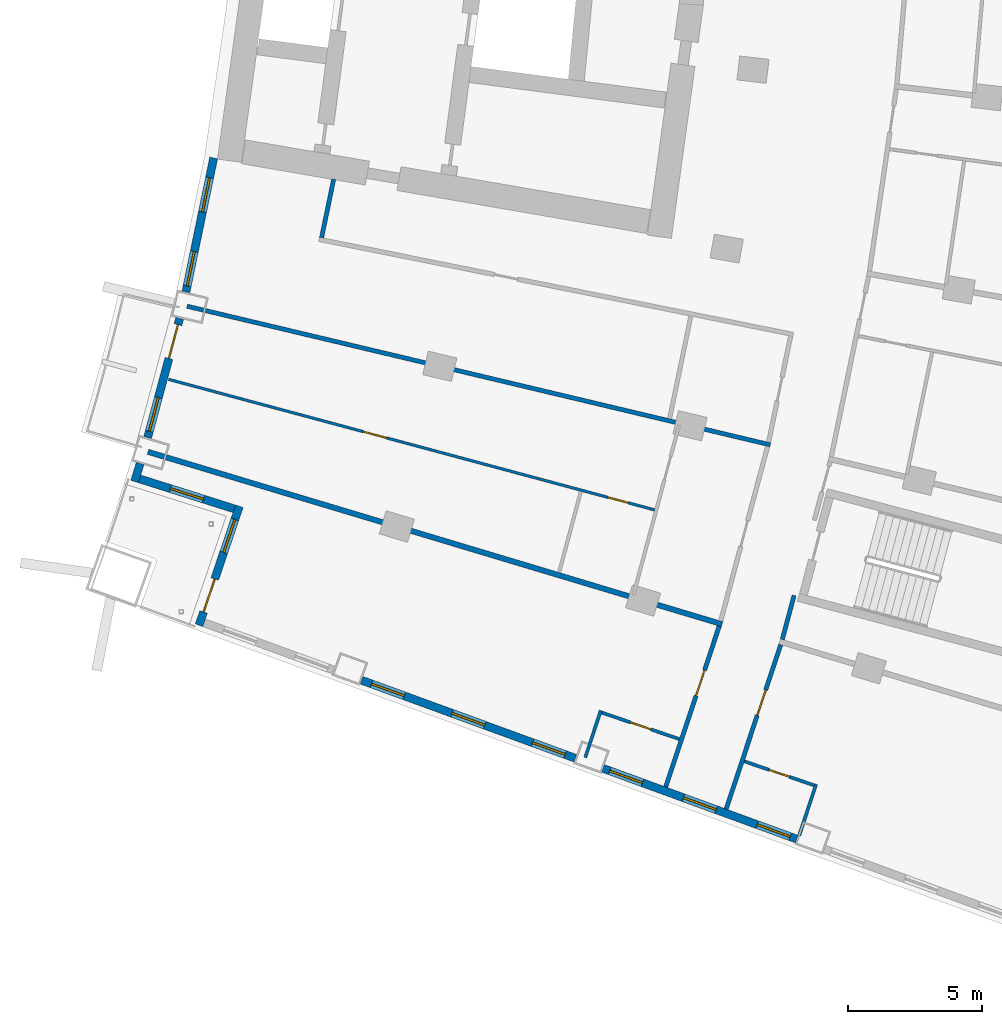
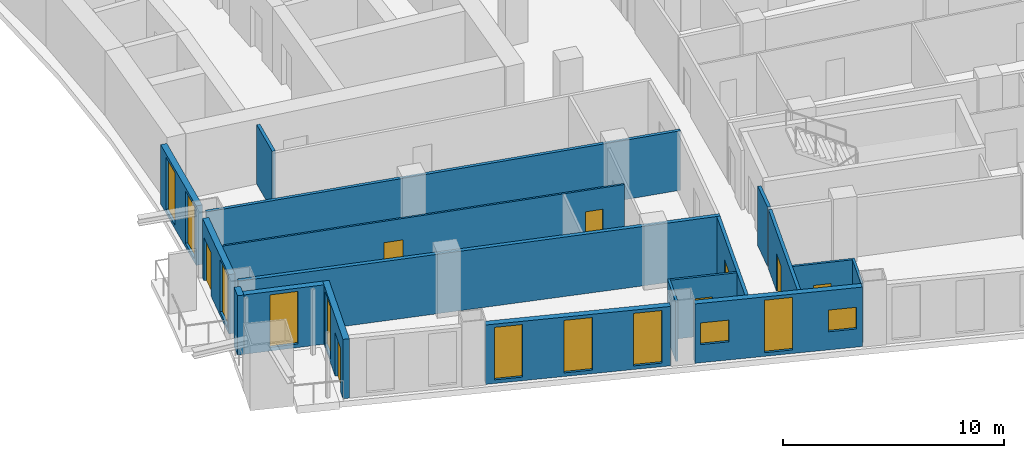
# One storey, part 11 of 23: 18 walls, 11 windows, 8 doors, 19 openings.
"""IFC4 building model written with IfcOpenShell, lengths in metres."""

from ifc_helpers import new_model, si_unit, direction, frame, frame_2d, origin, place, context, subcontext, project, spatial, rectangle, extrude, material, layer, layer_set, type_object, element, fill, save


model = new_model("IFC4")

# Units and contexts
model_context = context("Model", 3, precision=1e-05, world=origin(), true_north=direction((0.0, 1.0)))
body_context = subcontext(model_context, "Body", "Model", "MODEL_VIEW")
ifc_project = project(units=[si_unit("LENGTHUNIT", "METRE"), si_unit("AREAUNIT", "SQUARE_METRE"), si_unit("VOLUMEUNIT", "CUBIC_METRE"), si_unit("PLANEANGLEUNIT", "RADIAN"), si_unit("MASSUNIT", "GRAM", prefix="KILO")], contexts=[model_context])

# Site, building, storey
site_placement = place(None, origin())
site = spatial("IfcSite", under=ifc_project, at=site_placement, CompositionType="ELEMENT")
building_placement = place(site_placement, origin())
building = spatial("IfcBuilding", under=site, at=building_placement, Name="Alderwake Tower", CompositionType="ELEMENT")
storey_placement = place(building_placement, frame((0.0, 0.0, 71.60009765625)))
storey = spatial("IfcBuildingStorey", under=building, at=storey_placement, Name="L17", CompositionType="ELEMENT", Elevation=71.60009765625)

# Walls
ifc_material_1 = material(Name="Gypsum board on metal studs, rated")
ifc_layer_1 = layer(ifc_material_1, 0.159912109375)
ifc_layer_set_1 = layer_set([ifc_layer_1], Name="Corridor wall 160")
wall_type_1 = type_object("IfcWallType", Name="Corridor wall 160", PredefinedType="PARTITIONING", material=ifc_layer_set_1)
wall_1_placement = place(storey_placement, frame((13.884033203125, 38.68798828125, 0.0), z_axis=(0.0, 0.0, 1.0), x_axis=(0.972893462073, -0.231253781493, 0.0)))
element("IfcWall", 1, at=wall_1_placement, inside=storey, type_object=wall_type_1, Name="WL/L17/W17", PredefinedType="PARTITIONING", context=body_context, shape_type="SweptSolid", body=[
    extrude(rectangle(XDim=22.38037109375, YDim=0.159912109375, at=frame_2d((11.190185546875, 0.0))), origin(), (0.0, 0.0, 1.0), 3.27978515625),
])
wall_2_placement = place(storey_placement, frame((19.35888671875, 43.430908203125, 0.0), z_axis=(0.0, 0.0, 1.0), x_axis=(-0.202554916658, -0.979270905183, 0.0)))
element("IfcWall", 2, at=wall_2_placement, inside=storey, type_object=wall_type_1, Name="WL/L17/W20", PredefinedType="PARTITIONING", context=body_context, shape_type="SweptSolid", body=[
    extrude(rectangle(XDim=2.229736328125, YDim=0.159912109375, at=frame_2d((1.11474609375, 0.0))), origin(), (0.0, 0.0, 1.0), 3.27978515625),
])

# Wall, opening, door
wall_3_placement = place(storey_placement, frame((31.7548828125, 20.739013671875, 0.0), z_axis=(0.0, 0.0, 1.0), x_axis=(0.31554473692, 0.948910701279, 0.0)))
wall_3 = element("IfcWall", 3, at=wall_3_placement, inside=storey, type_object=wall_type_1, Name="WL/L17/W22", PredefinedType="PARTITIONING", context=body_context, shape_type="SweptSolid", body=[
    extrude(rectangle(XDim=6.327392578125, YDim=0.159912109375, at=frame_2d((3.16357421875, 0.0))), origin(), (0.0, 0.0, 1.0), 3.27978515625),
])
opening_1_placement = place(wall_3_placement, frame((3.59130859375, 0.0, 0.0)))
opening_1 = element("IfcOpeningElement", 4, at=opening_1_placement, cuts=wall_3, Name="Opening R04-U12.1", PredefinedType="OPENING", context=body_context, shape_type="SweptSolid", body=[
    extrude(rectangle(XDim=1.0, YDim=2.10009765625, at=frame_2d((0.5, 1.050048828125))), frame((0.0, 0.08984375, 0.0), z_axis=(0.0, -1.0, 0.0), x_axis=(1.0, 0.0, 0.0)), (0.0, 0.0, 1.0), 0.179931640625),
])
ifc_material_2 = material(Name="Solid timber leaf in steel frame", Category="steel")
door_type_1 = type_object("IfcDoorType", Name="Flat entrance door 1000 fire-rated", OperationType="SINGLE_SWING_LEFT", PredefinedType="DOOR", material=ifc_material_2)
door_1_placement = place(opening_1_placement, origin())
door_1 = element("IfcDoor", 5, at=door_1_placement, inside=storey, type_object=door_type_1, Name="DR/L17/U12.1", OperationType="SINGLE_SWING_LEFT", OverallHeight=2.10009765625, OverallWidth=1.0, PredefinedType="DOOR", context=body_context, shape_type="SweptSolid", body=[
    extrude(rectangle(XDim=1.0, YDim=2.10009765625, at=frame_2d((0.5, 1.050048828125))), frame((0.0, 0.02490234375, 0.0), z_axis=(0.0, -1.0, 0.0), x_axis=(1.0, 0.0, 0.0)), (0.0, 0.0, 1.0), 0.050048828125),
])
fill(opening_1, door_1)

wall_4_placement = place(storey_placement, frame((36.049560546875, 26.052978515625, 0.0), z_axis=(0.0, 0.0, 1.0), x_axis=(-0.315151894598, -0.949041244273, 0.0)))
wall_4 = element("IfcWall", 6, at=wall_4_placement, inside=storey, type_object=wall_type_1, Name="WL/L17/W24", PredefinedType="PARTITIONING", context=body_context, shape_type="SweptSolid", body=[
    extrude(rectangle(XDim=6.468505859375, YDim=0.159912109375, at=frame_2d((3.234375, 0.0))), origin(), (0.0, 0.0, 1.0), 3.27978515625),
])
opening_2_placement = place(wall_4_placement, frame((1.7822265625, 0.0, 0.0)))
opening_2 = element("IfcOpeningElement", 7, at=opening_2_placement, cuts=wall_4, Name="Opening R04-U03.1", PredefinedType="OPENING", context=body_context, shape_type="SweptSolid", body=[
    extrude(rectangle(XDim=1.0, YDim=2.10009765625, at=frame_2d((0.5, 1.050048828125))), frame((0.0, 0.08984375, 0.0), z_axis=(0.0, -1.0, 0.0), x_axis=(1.0, 0.0, 0.0)), (0.0, 0.0, 1.0), 0.179931640625),
])
door_2_placement = place(opening_2_placement, origin())
door_2 = element("IfcDoor", 8, at=door_2_placement, inside=storey, type_object=door_type_1, Name="DR/L17/U03.1", OperationType="SINGLE_SWING_LEFT", OverallHeight=2.10009765625, OverallWidth=1.0, PredefinedType="DOOR", context=body_context, shape_type="SweptSolid", body=[
    extrude(rectangle(XDim=1.0, YDim=2.10009765625, at=frame_2d((0.5, 1.050048828125))), frame((0.0, 0.02490234375, 0.0), z_axis=(0.0, -1.0, 0.0), x_axis=(1.0, 0.0, 0.0)), (0.0, 0.0, 1.0), 0.050048828125),
])
fill(opening_2, door_2)

# Walls
wall_5_placement = place(storey_placement, frame((36.10693359375, 26.24462890625, 0.0), z_axis=(0.0, 0.0, 1.0), x_axis=(0.259346865847, 0.965784242559, 0.0)))
element("IfcWall", 9, at=wall_5_placement, inside=storey, type_object=wall_type_1, Name="WL/L17/W28", PredefinedType="PARTITIONING", context=body_context, shape_type="SweptSolid", body=[
    extrude(rectangle(XDim=1.704833984375, YDim=0.159912109375, at=frame_2d((0.8525390625, 0.0))), origin(), (0.0, 0.0, 1.0), 3.27978515625),
])
ifc_material_3 = material(Name="Precast concrete C50/60 spandrel panel", Category="concrete")
ifc_layer_2 = layer(ifc_material_3, 0.300048828125)
ifc_layer_set_2 = layer_set([ifc_layer_2], Name="External wall EW1 Precast concrete C50/60 spandrel")
wall_type_2 = type_object("IfcWallType", Name="External wall EW1 Precast concrete C50/60 spandrel", PredefinedType="SOLIDWALL", material=ifc_layer_set_2)
wall_6_placement = place(storey_placement, frame((12.1328125, 32.814453125, 0.0), z_axis=(0.0, 0.0, 1.0), x_axis=(-0.294671831364, -0.955598509731, 0.0)))
element("IfcWall", 10, at=wall_6_placement, inside=storey, type_object=wall_type_2, Name="External wall 1", PredefinedType="SOLIDWALL", context=body_context, shape_type="SweptSolid", body=[
    extrude(rectangle(XDim=0.70263671875, YDim=0.300048828125, at=frame_2d((0.351318359375, 0.0))), origin(), (0.0, 0.0, 1.0), 3.27978515625),
])

# Wall, openings, windows
wall_7_placement = place(storey_placement, frame((14.878173828125, 44.223388671875, 0.0), z_axis=(0.0, 0.0, 1.0), x_axis=(-0.202738354746, -0.979232944459, 0.0)))
wall_7 = element("IfcWall", 11, at=wall_7_placement, inside=storey, type_object=wall_type_2, Name="External wall 35", PredefinedType="SOLIDWALL", context=body_context, shape_type="SweptSolid", body=[
    extrude(rectangle(XDim=5.1083984375, YDim=0.300048828125, at=frame_2d((2.55419921875, 0.0))), origin(), (0.0, 0.0, 1.0), 3.27978515625),
])
opening_3_placement = place(wall_7_placement, frame((0.75634765625, 0.0, 0.199951171875)))
opening_3 = element("IfcOpeningElement", 12, at=opening_3_placement, cuts=wall_7, Name="Opening W1", PredefinedType="OPENING", context=body_context, shape_type="SweptSolid", body=[
    extrude(rectangle(XDim=1.300048828125, YDim=2.89990234375, at=frame_2d((0.64990234375, 1.449951171875))), frame((0.0, 0.159912109375, 0.0), z_axis=(0.0, -1.0, 0.0), x_axis=(1.0, 0.0, 0.0)), (0.0, 0.0, 1.0), 0.320068359375),
])
opening_4_placement = place(wall_7_placement, frame((3.569091796875, 0.0, 0.199951171875)))
opening_4 = element("IfcOpeningElement", 13, at=opening_4_placement, cuts=wall_7, Name="Opening W1", PredefinedType="OPENING", context=body_context, shape_type="SweptSolid", body=[
    extrude(rectangle(XDim=1.300048828125, YDim=2.89990234375, at=frame_2d((0.64990234375, 1.449951171875))), frame((0.0, 0.159912109375, 0.0), z_axis=(0.0, -1.0, 0.0), x_axis=(1.0, 0.0, 0.0)), (0.0, 0.0, 1.0), 0.320068359375),
])
ifc_material_4 = material(Name="Bronze tinted glass in aluminium frame", Category="aluminium")
window_type_1 = type_object("IfcWindowType", Name="Window W1 tall fixed and vent", PartitioningType="DOUBLE_PANEL_VERTICAL", PredefinedType="WINDOW", material=ifc_material_4)
window_1_placement = place(opening_3_placement, origin())
window_1 = element("IfcWindow", 14, at=window_1_placement, inside=storey, type_object=window_type_1, Name="Window W1 tall fixed and vent", OverallHeight=2.89990234375, OverallWidth=1.300048828125, PartitioningType="DOUBLE_PANEL_VERTICAL", PredefinedType="WINDOW", context=body_context, shape_type="SweptSolid", body=[
    extrude(rectangle(XDim=1.300048828125, YDim=2.89990234375, at=frame_2d((0.64990234375, 1.449951171875))), frame((0.0, 0.030029296875, 0.0), z_axis=(0.0, -1.0, 0.0), x_axis=(1.0, 0.0, 0.0)), (0.0, 0.0, 1.0), 0.06005859375),
])
fill(opening_3, window_1)
window_2_placement = place(opening_4_placement, origin())
window_2 = element("IfcWindow", 15, at=window_2_placement, inside=storey, type_object=window_type_1, Name="Window W1 tall fixed and vent", OverallHeight=2.89990234375, OverallWidth=1.300048828125, PartitioningType="DOUBLE_PANEL_VERTICAL", PredefinedType="WINDOW", context=body_context, shape_type="SweptSolid", body=[
    extrude(rectangle(XDim=1.300048828125, YDim=2.89990234375, at=frame_2d((0.64990234375, 1.449951171875))), frame((0.0, 0.030029296875, 0.0), z_axis=(0.0, -1.0, 0.0), x_axis=(1.0, 0.0, 0.0)), (0.0, 0.0, 1.0), 0.06005859375),
])
fill(opening_4, window_2)

# Wall, openings, door, window
wall_8_placement = place(storey_placement, frame((13.606689453125, 38.229248046875, 0.0), z_axis=(0.0, 0.0, 1.0), x_axis=(-0.259495671332, -0.965744270788, 0.0)))
wall_8 = element("IfcWall", 16, at=wall_8_placement, inside=storey, type_object=wall_type_2, Name="External wall 36", PredefinedType="SOLIDWALL", context=body_context, shape_type="SweptSolid", body=[
    extrude(rectangle(XDim=4.599609375, YDim=0.300048828125, at=frame_2d((2.2998046875, 0.0))), origin(), (0.0, 0.0, 1.0), 3.27978515625),
])
opening_5_placement = place(wall_8_placement, frame((0.2412109375, 0.0, 0.0)))
opening_5 = element("IfcOpeningElement", 17, at=opening_5_placement, cuts=wall_8, Name="Opening D16", PredefinedType="OPENING", context=body_context, shape_type="SweptSolid", body=[
    extrude(rectangle(XDim=1.300048828125, YDim=2.39990234375, at=frame_2d((0.64990234375, 1.199951171875))), frame((0.0, 0.159912109375, 0.0), z_axis=(0.0, -1.0, 0.0), x_axis=(1.0, 0.0, 0.0)), (0.0, 0.0, 1.0), 0.320068359375),
])
opening_6_placement = place(wall_8_placement, frame((3.058349609375, 0.0, 0.199951171875)))
opening_6 = element("IfcOpeningElement", 18, at=opening_6_placement, cuts=wall_8, Name="Opening W1", PredefinedType="OPENING", context=body_context, shape_type="SweptSolid", body=[
    extrude(rectangle(XDim=1.300048828125, YDim=2.89990234375, at=frame_2d((0.64990234375, 1.449951171875))), frame((0.0, 0.159912109375, 0.0), z_axis=(0.0, -1.0, 0.0), x_axis=(1.0, 0.0, 0.0)), (0.0, 0.0, 1.0), 0.320068359375),
])
ifc_material_5 = material(Name="Bronze tinted glass in aluminium frame", Category="aluminium")
door_type_2 = type_object("IfcDoorType", Name="Balcony door BD sliding", OperationType="SLIDING_TO_LEFT", PredefinedType="DOOR", material=ifc_material_5)
door_3_placement = place(opening_5_placement, origin())
door_3 = element("IfcDoor", 19, at=door_3_placement, inside=storey, type_object=door_type_2, Name="Door D16", OperationType="SLIDING_TO_LEFT", OverallHeight=2.39990234375, OverallWidth=1.300048828125, PredefinedType="DOOR", context=body_context, shape_type="SweptSolid", body=[
    extrude(rectangle(XDim=1.300048828125, YDim=2.39990234375, at=frame_2d((0.64990234375, 1.199951171875))), frame((0.0, 0.02490234375, 0.0), z_axis=(0.0, -1.0, 0.0), x_axis=(1.0, 0.0, 0.0)), (0.0, 0.0, 1.0), 0.050048828125),
])
fill(opening_5, door_3)
window_3_placement = place(opening_6_placement, origin())
window_3 = element("IfcWindow", 20, at=window_3_placement, inside=storey, type_object=window_type_1, Name="Window W1 tall fixed and vent", OverallHeight=2.89990234375, OverallWidth=1.300048828125, PartitioningType="DOUBLE_PANEL_VERTICAL", PredefinedType="WINDOW", context=body_context, shape_type="SweptSolid", body=[
    extrude(rectangle(XDim=1.300048828125, YDim=2.89990234375, at=frame_2d((0.64990234375, 1.449951171875))), frame((0.0, 0.030029296875, 0.0), z_axis=(0.0, -1.0, 0.0), x_axis=(1.0, 0.0, 0.0)), (0.0, 0.0, 1.0), 0.06005859375),
])
fill(opening_6, window_3)

# Wall, opening, window
ifc_material_6 = material(Name="Bronze metal cladding on lightweight framing")
ifc_layer_3 = layer(ifc_material_6, 0.300048828125)
ifc_layer_set_3 = layer_set([ifc_layer_3], Name="External wall EW2 bronze metal cladding")
wall_type_3 = type_object("IfcWallType", Name="External wall EW2 bronze metal cladding", PredefinedType="SOLIDWALL", material=ifc_layer_set_3)
wall_9_placement = place(storey_placement, frame((12.113037109375, 32.2412109375, 0.0), z_axis=(0.0, 0.0, 1.0), x_axis=(0.953458128271, -0.301525451054, 0.0)))
wall_9 = element("IfcWall", 21, at=wall_9_placement, inside=storey, type_object=wall_type_3, Name="External wall 2", PredefinedType="SOLIDWALL", context=body_context, shape_type="SweptSolid", body=[
    extrude(rectangle(XDim=3.705810546875, YDim=0.300048828125, at=frame_2d((1.85302734375, 0.0))), origin(), (0.0, 0.0, 1.0), 3.27978515625),
])
opening_7_placement = place(wall_9_placement, frame((1.202880859375, 0.0, 0.199951171875)))
opening_7 = element("IfcOpeningElement", 22, at=opening_7_placement, cuts=wall_9, Name="Opening W1", PredefinedType="OPENING", context=body_context, shape_type="SweptSolid", body=[
    extrude(rectangle(XDim=1.300048828125, YDim=2.89990234375, at=frame_2d((0.64990234375, 1.449951171875))), frame((0.0, 0.159912109375, 0.0), z_axis=(0.0, -1.0, 0.0), x_axis=(1.0, 0.0, 0.0)), (0.0, 0.0, 1.0), 0.320068359375),
])
window_4_placement = place(opening_7_placement, origin())
window_4 = element("IfcWindow", 23, at=window_4_placement, inside=storey, type_object=window_type_1, Name="Window W1 tall fixed and vent", OverallHeight=2.89990234375, OverallWidth=1.300048828125, PartitioningType="DOUBLE_PANEL_VERTICAL", PredefinedType="WINDOW", context=body_context, shape_type="SweptSolid", body=[
    extrude(rectangle(XDim=1.300048828125, YDim=2.89990234375, at=frame_2d((0.64990234375, 1.449951171875))), frame((0.0, 0.030029296875, 0.0), z_axis=(0.0, -1.0, 0.0), x_axis=(1.0, 0.0, 0.0)), (0.0, 0.0, 1.0), 0.06005859375),
])
fill(opening_7, window_4)

# Wall, openings, door, window
wall_10_placement = place(storey_placement, frame((15.83740234375, 31.220703125, 0.0), z_axis=(0.0, 0.0, 1.0), x_axis=(-0.32041006121, -0.947278941324, 0.0)))
wall_10 = element("IfcWall", 24, at=wall_10_placement, inside=storey, type_object=wall_type_3, Name="External wall 3", PredefinedType="SOLIDWALL", context=body_context, shape_type="SweptSolid", body=[
    extrude(rectangle(XDim=4.68994140625, YDim=0.300048828125, at=frame_2d((2.344970703125, 0.0))), origin(), (0.0, 0.0, 1.0), 3.27978515625),
])
opening_8_placement = place(wall_10_placement, frame((0.5224609375, 0.0, 0.199951171875)))
opening_8 = element("IfcOpeningElement", 25, at=opening_8_placement, cuts=wall_10, Name="Opening W1", PredefinedType="OPENING", context=body_context, shape_type="SweptSolid", body=[
    extrude(rectangle(XDim=1.300048828125, YDim=2.89990234375, at=frame_2d((0.64990234375, 1.449951171875))), frame((0.0, 0.159912109375, 0.0), z_axis=(0.0, -1.0, 0.0), x_axis=(1.0, 0.0, 0.0)), (0.0, 0.0, 1.0), 0.320068359375),
])
opening_9_placement = place(wall_10_placement, frame((2.867431640625, 0.0, 0.0)))
opening_9 = element("IfcOpeningElement", 26, at=opening_9_placement, cuts=wall_10, Name="Opening D01", PredefinedType="OPENING", context=body_context, shape_type="SweptSolid", body=[
    extrude(rectangle(XDim=1.300048828125, YDim=2.39990234375, at=frame_2d((0.64990234375, 1.199951171875))), frame((0.0, 0.159912109375, 0.0), z_axis=(0.0, -1.0, 0.0), x_axis=(1.0, 0.0, 0.0)), (0.0, 0.0, 1.0), 0.320068359375),
])
door_4_placement = place(opening_9_placement, origin())
door_4 = element("IfcDoor", 27, at=door_4_placement, inside=storey, type_object=door_type_2, Name="Door D01", OperationType="SLIDING_TO_LEFT", OverallHeight=2.39990234375, OverallWidth=1.300048828125, PredefinedType="DOOR", context=body_context, shape_type="SweptSolid", body=[
    extrude(rectangle(XDim=1.300048828125, YDim=2.39990234375, at=frame_2d((0.64990234375, 1.199951171875))), frame((0.0, 0.02490234375, 0.0), z_axis=(0.0, -1.0, 0.0), x_axis=(1.0, 0.0, 0.0)), (0.0, 0.0, 1.0), 0.050048828125),
])
fill(opening_9, door_4)
window_5_placement = place(opening_8_placement, origin())
window_5 = element("IfcWindow", 28, at=window_5_placement, inside=storey, type_object=window_type_1, Name="Window W1 tall fixed and vent", OverallHeight=2.89990234375, OverallWidth=1.300048828125, PartitioningType="DOUBLE_PANEL_VERTICAL", PredefinedType="WINDOW", context=body_context, shape_type="SweptSolid", body=[
    extrude(rectangle(XDim=1.300048828125, YDim=2.89990234375, at=frame_2d((0.64990234375, 1.449951171875))), frame((0.0, 0.030029296875, 0.0), z_axis=(0.0, -1.0, 0.0), x_axis=(1.0, 0.0, 0.0)), (0.0, 0.0, 1.0), 0.06005859375),
])
fill(opening_8, window_5)

# Wall, openings, windows
wall_11_placement = place(storey_placement, frame((20.398681640625, 24.72412109375, 0.0), z_axis=(0.0, 0.0, 1.0), x_axis=(0.939369809957, -0.342905759856, 0.0)))
wall_11 = element("IfcWall", 29, at=wall_11_placement, inside=storey, type_object=wall_type_3, Name="External wall 5", PredefinedType="SOLIDWALL", context=body_context, shape_type="SweptSolid", body=[
    extrude(rectangle(XDim=8.495361328125, YDim=0.300048828125, at=frame_2d((4.24755859375, 0.0))), origin(), (0.0, 0.0, 1.0), 3.27978515625),
])
opening_10_placement = place(wall_11_placement, frame((0.3974609375, 0.0, 0.199951171875)))
opening_10 = element("IfcOpeningElement", 30, at=opening_10_placement, cuts=wall_11, Name="Opening W1", PredefinedType="OPENING", context=body_context, shape_type="SweptSolid", body=[
    extrude(rectangle(XDim=1.300048828125, YDim=2.89990234375, at=frame_2d((0.64990234375, 1.449951171875))), frame((0.0, 0.159912109375, 0.0), z_axis=(0.0, -1.0, 0.0), x_axis=(1.0, 0.0, 0.0)), (0.0, 0.0, 1.0), 0.320068359375),
])
opening_11_placement = place(wall_11_placement, frame((3.597412109375, 0.0, 0.199951171875)))
opening_11 = element("IfcOpeningElement", 31, at=opening_11_placement, cuts=wall_11, Name="Opening W1", PredefinedType="OPENING", context=body_context, shape_type="SweptSolid", body=[
    extrude(rectangle(XDim=1.300048828125, YDim=2.89990234375, at=frame_2d((0.64990234375, 1.449951171875))), frame((0.0, 0.159912109375, 0.0), z_axis=(0.0, -1.0, 0.0), x_axis=(1.0, 0.0, 0.0)), (0.0, 0.0, 1.0), 0.320068359375),
])
opening_12_placement = place(wall_11_placement, frame((6.797607421875, 0.0, 0.199951171875)))
opening_12 = element("IfcOpeningElement", 32, at=opening_12_placement, cuts=wall_11, Name="Opening W1", PredefinedType="OPENING", context=body_context, shape_type="SweptSolid", body=[
    extrude(rectangle(XDim=1.300048828125, YDim=2.89990234375, at=frame_2d((0.64990234375, 1.449951171875))), frame((0.0, 0.159912109375, 0.0), z_axis=(0.0, -1.0, 0.0), x_axis=(1.0, 0.0, 0.0)), (0.0, 0.0, 1.0), 0.320068359375),
])
window_6_placement = place(opening_10_placement, origin())
window_6 = element("IfcWindow", 33, at=window_6_placement, inside=storey, type_object=window_type_1, Name="Window W1 tall fixed and vent", OverallHeight=2.89990234375, OverallWidth=1.300048828125, PartitioningType="DOUBLE_PANEL_VERTICAL", PredefinedType="WINDOW", context=body_context, shape_type="SweptSolid", body=[
    extrude(rectangle(XDim=1.300048828125, YDim=2.89990234375, at=frame_2d((0.64990234375, 1.449951171875))), frame((0.0, 0.030029296875, 0.0), z_axis=(0.0, -1.0, 0.0), x_axis=(1.0, 0.0, 0.0)), (0.0, 0.0, 1.0), 0.06005859375),
])
fill(opening_10, window_6)
window_7_placement = place(opening_11_placement, origin())
window_7 = element("IfcWindow", 34, at=window_7_placement, inside=storey, type_object=window_type_1, Name="Window W1 tall fixed and vent", OverallHeight=2.89990234375, OverallWidth=1.300048828125, PartitioningType="DOUBLE_PANEL_VERTICAL", PredefinedType="WINDOW", context=body_context, shape_type="SweptSolid", body=[
    extrude(rectangle(XDim=1.300048828125, YDim=2.89990234375, at=frame_2d((0.64990234375, 1.449951171875))), frame((0.0, 0.030029296875, 0.0), z_axis=(0.0, -1.0, 0.0), x_axis=(1.0, 0.0, 0.0)), (0.0, 0.0, 1.0), 0.06005859375),
])
fill(opening_11, window_7)
window_8_placement = place(opening_12_placement, origin())
window_8 = element("IfcWindow", 35, at=window_8_placement, inside=storey, type_object=window_type_1, Name="Window W1 tall fixed and vent", OverallHeight=2.89990234375, OverallWidth=1.300048828125, PartitioningType="DOUBLE_PANEL_VERTICAL", PredefinedType="WINDOW", context=body_context, shape_type="SweptSolid", body=[
    extrude(rectangle(XDim=1.300048828125, YDim=2.89990234375, at=frame_2d((0.64990234375, 1.449951171875))), frame((0.0, 0.030029296875, 0.0), z_axis=(0.0, -1.0, 0.0), x_axis=(1.0, 0.0, 0.0)), (0.0, 0.0, 1.0), 0.06005859375),
])
fill(opening_12, window_8)

wall_12_placement = place(storey_placement, frame((29.416748046875, 21.432373046875, 0.0), z_axis=(0.0, 0.0, 1.0), x_axis=(0.93936753929, -0.342911980148, 0.0)))
wall_12 = element("IfcWall", 36, at=wall_12_placement, inside=storey, type_object=wall_type_3, Name="External wall 6", PredefinedType="SOLIDWALL", context=body_context, shape_type="SweptSolid", body=[
    extrude(rectangle(XDim=7.695556640625, YDim=0.300048828125, at=frame_2d((3.84765625, 0.0))), origin(), (0.0, 0.0, 1.0), 3.27978515625),
])
opening_13_placement = place(wall_12_placement, frame((0.264404296875, 0.0, 1.0)))
opening_13 = element("IfcOpeningElement", 37, at=opening_13_placement, cuts=wall_12, Name="Opening W2", PredefinedType="OPENING", context=body_context, shape_type="SweptSolid", body=[
    extrude(rectangle(XDim=1.300048828125, YDim=1.199951171875, at=frame_2d((0.64990234375, 0.60009765625))), frame((0.0, 0.159912109375, 0.0), z_axis=(0.0, -1.0, 0.0), x_axis=(1.0, 0.0, 0.0)), (0.0, 0.0, 1.0), 0.320068359375),
])
opening_14_placement = place(wall_12_placement, frame((3.19775390625, 0.0, 0.199951171875)))
opening_14 = element("IfcOpeningElement", 38, at=opening_14_placement, cuts=wall_12, Name="Opening W1", PredefinedType="OPENING", context=body_context, shape_type="SweptSolid", body=[
    extrude(rectangle(XDim=1.300048828125, YDim=2.89990234375, at=frame_2d((0.64990234375, 1.449951171875))), frame((0.0, 0.159912109375, 0.0), z_axis=(0.0, -1.0, 0.0), x_axis=(1.0, 0.0, 0.0)), (0.0, 0.0, 1.0), 0.320068359375),
])
opening_15_placement = place(wall_12_placement, frame((6.131103515625, 0.0, 1.0)))
opening_15 = element("IfcOpeningElement", 39, at=opening_15_placement, cuts=wall_12, Name="Opening W2", PredefinedType="OPENING", context=body_context, shape_type="SweptSolid", body=[
    extrude(rectangle(XDim=1.300048828125, YDim=1.199951171875, at=frame_2d((0.64990234375, 0.60009765625))), frame((0.0, 0.159912109375, 0.0), z_axis=(0.0, -1.0, 0.0), x_axis=(1.0, 0.0, 0.0)), (0.0, 0.0, 1.0), 0.320068359375),
])
window_9_placement = place(opening_14_placement, origin())
window_9 = element("IfcWindow", 40, at=window_9_placement, inside=storey, type_object=window_type_1, Name="Window W1 tall fixed and vent", OverallHeight=2.89990234375, OverallWidth=1.300048828125, PartitioningType="DOUBLE_PANEL_VERTICAL", PredefinedType="WINDOW", context=body_context, shape_type="SweptSolid", body=[
    extrude(rectangle(XDim=1.300048828125, YDim=2.89990234375, at=frame_2d((0.64990234375, 1.449951171875))), frame((0.0, 0.030029296875, 0.0), z_axis=(0.0, -1.0, 0.0), x_axis=(1.0, 0.0, 0.0)), (0.0, 0.0, 1.0), 0.06005859375),
])
fill(opening_14, window_9)
ifc_material_7 = material(Name="Bronze tinted glass in aluminium frame", Category="aluminium")
window_type_2 = type_object("IfcWindowType", Name="Window W2 kitchen and bath", PartitioningType="SINGLE_PANEL", PredefinedType="WINDOW", material=ifc_material_7)
window_10_placement = place(opening_13_placement, origin())
window_10 = element("IfcWindow", 41, at=window_10_placement, inside=storey, type_object=window_type_2, Name="Window W2 kitchen and bath", OverallHeight=1.199951171875, OverallWidth=1.300048828125, PartitioningType="SINGLE_PANEL", PredefinedType="WINDOW", context=body_context, shape_type="SweptSolid", body=[
    extrude(rectangle(XDim=1.300048828125, YDim=1.199951171875, at=frame_2d((0.64990234375, 0.60009765625))), frame((0.0, 0.030029296875, 0.0), z_axis=(0.0, -1.0, 0.0), x_axis=(1.0, 0.0, 0.0)), (0.0, 0.0, 1.0), 0.06005859375),
])
fill(opening_13, window_10)
window_11_placement = place(opening_15_placement, origin())
window_11 = element("IfcWindow", 42, at=window_11_placement, inside=storey, type_object=window_type_2, Name="Window W2 kitchen and bath", OverallHeight=1.199951171875, OverallWidth=1.300048828125, PartitioningType="SINGLE_PANEL", PredefinedType="WINDOW", context=body_context, shape_type="SweptSolid", body=[
    extrude(rectangle(XDim=1.300048828125, YDim=1.199951171875, at=frame_2d((0.64990234375, 0.60009765625))), frame((0.0, 0.030029296875, 0.0), z_axis=(0.0, -1.0, 0.0), x_axis=(1.0, 0.0, 0.0)), (0.0, 0.0, 1.0), 0.06005859375),
])
fill(opening_15, window_11)

# Wall
ifc_material_8 = material(Name="Dense block masonry wall", Category="masonry")
ifc_layer_4 = layer(ifc_material_8, 0.199951171875)
ifc_layer_set_4 = layer_set([ifc_layer_4], Name="Party wall 200")
wall_type_4 = type_object("IfcWallType", Name="Party wall 200", PredefinedType="SOLIDWALL", material=ifc_layer_set_4)
wall_13_placement = place(storey_placement, frame((33.859619140625, 26.81494140625, 0.0), z_axis=(0.0, 0.0, 1.0), x_axis=(-0.95775179957, 0.287596054251, 0.0)))
element("IfcWall", 43, at=wall_13_placement, inside=storey, type_object=wall_type_4, Name="WL/L17/W03", PredefinedType="SOLIDWALL", context=body_context, shape_type="SweptSolid", body=[
    extrude(rectangle(XDim=22.382080078125, YDim=0.199951171875, at=frame_2d((11.19091796875, 0.0))), origin(), (0.0, 0.0, 1.0), 3.27978515625),
])

# Wall, openings, doors
ifc_material_9 = material(Name="Gypsum board on metal studs")
ifc_layer_5 = layer(ifc_material_9, 0.10009765625)
ifc_layer_set_5 = layer_set([ifc_layer_5], Name="Unit partition 100")
wall_type_5 = type_object("IfcWallType", Name="Unit partition 100", PredefinedType="PARTITIONING", material=ifc_layer_set_5)
wall_14_placement = place(storey_placement, frame((31.340087890625, 31.08349609375, 0.0), z_axis=(0.0, 0.0, 1.0), x_axis=(-0.965761886649, 0.259430102909, 0.0)))
wall_14 = element("IfcWall", 44, at=wall_14_placement, inside=storey, type_object=wall_type_5, Name="WL/L17/W67", PredefinedType="PARTITIONING", context=body_context, shape_type="SweptSolid", body=[
    extrude(rectangle(XDim=18.789306640625, YDim=0.10009765625, at=frame_2d((9.39453125, 0.0))), origin(), (0.0, 0.0, 1.0), 3.27978515625),
])
opening_16_placement = place(wall_14_placement, frame((1.0185546875, 0.0, 0.0)))
opening_16 = element("IfcOpeningElement", 45, at=opening_16_placement, cuts=wall_14, Name="Opening R04-U13.3", PredefinedType="OPENING", context=body_context, shape_type="SweptSolid", body=[
    extrude(rectangle(XDim=0.800048828125, YDim=2.10009765625, at=frame_2d((0.39990234375, 1.050048828125))), frame((0.0, 0.06005859375, 0.0), z_axis=(0.0, -1.0, 0.0), x_axis=(1.0, 0.0, 0.0)), (0.0, 0.0, 1.0), 0.1201171875),
])
opening_17_placement = place(wall_14_placement, frame((10.363037109375, 0.0, 0.0)))
opening_17 = element("IfcOpeningElement", 46, at=opening_17_placement, cuts=wall_14, Name="Opening R04-U13.4", PredefinedType="OPENING", context=body_context, shape_type="SweptSolid", body=[
    extrude(rectangle(XDim=0.89990234375, YDim=2.10009765625, at=frame_2d((0.449951171875, 1.050048828125))), frame((0.0, 0.06005859375, 0.0), z_axis=(0.0, -1.0, 0.0), x_axis=(1.0, 0.0, 0.0)), (0.0, 0.0, 1.0), 0.1201171875),
])
ifc_material_10 = material(Name="Painted timber leaf", Category="wood")
door_type_3 = type_object("IfcDoorType", Name="Bathroom door 800", OperationType="SINGLE_SWING_LEFT", PredefinedType="DOOR", material=ifc_material_10)
door_5_placement = place(opening_16_placement, origin())
door_5 = element("IfcDoor", 47, at=door_5_placement, inside=storey, type_object=door_type_3, Name="DR/L17/U13.3", OperationType="SINGLE_SWING_LEFT", OverallHeight=2.10009765625, OverallWidth=0.800048828125, PredefinedType="DOOR", context=body_context, shape_type="SweptSolid", body=[
    extrude(rectangle(XDim=0.800048828125, YDim=2.10009765625, at=frame_2d((0.39990234375, 1.050048828125))), frame((0.0, 0.02490234375, 0.0), z_axis=(0.0, -1.0, 0.0), x_axis=(1.0, 0.0, 0.0)), (0.0, 0.0, 1.0), 0.050048828125),
])
fill(opening_16, door_5)
ifc_material_11 = material(Name="Painted timber leaf", Category="wood")
door_type_4 = type_object("IfcDoorType", Name="Room door 900", OperationType="SINGLE_SWING_LEFT", PredefinedType="DOOR", material=ifc_material_11)
door_6_placement = place(opening_17_placement, origin())
door_6 = element("IfcDoor", 48, at=door_6_placement, inside=storey, type_object=door_type_4, Name="DR/L17/U13.4", OperationType="SINGLE_SWING_LEFT", OverallHeight=2.10009765625, OverallWidth=0.89990234375, PredefinedType="DOOR", context=body_context, shape_type="SweptSolid", body=[
    extrude(rectangle(XDim=0.89990234375, YDim=2.10009765625, at=frame_2d((0.449951171875, 1.050048828125))), frame((0.0, 0.02490234375, 0.0), z_axis=(0.0, -1.0, 0.0), x_axis=(1.0, 0.0, 0.0)), (0.0, 0.0, 1.0), 0.050048828125),
])
fill(opening_17, door_6)

# Wall
ifc_material_12 = material(Name="Moisture resistant gypsum board on metal studs")
ifc_layer_6 = layer(ifc_material_12, 0.1201171875)
ifc_layer_set_6 = layer_set([ifc_layer_6], Name="Wet room partition 120")
wall_type_6 = type_object("IfcWallType", Name="Wet room partition 120", PredefinedType="PARTITIONING", material=ifc_layer_set_6)
wall_15_placement = place(storey_placement, frame((29.331787109375, 23.591796875, 0.0), z_axis=(0.0, 0.0, 1.0), x_axis=(-0.315158113589, -0.949039179085, 0.0)))
element("IfcWall", 49, at=wall_15_placement, inside=storey, type_object=wall_type_6, Name="WL/L17/W45", PredefinedType="PARTITIONING", context=body_context, shape_type="SweptSolid", body=[
    extrude(rectangle(XDim=1.84912109375, YDim=0.1201171875, at=frame_2d((0.924560546875, 0.0))), origin(), (0.0, 0.0, 1.0), 3.27978515625),
])

# Wall, opening, door
wall_16_placement = place(storey_placement, frame((32.264404296875, 22.52587890625, 0.0), z_axis=(0.0, 0.0, 1.0), x_axis=(-0.946212858894, 0.323544781542, 0.0)))
wall_16 = element("IfcWall", 50, at=wall_16_placement, inside=storey, type_object=wall_type_6, Name="WL/L17/W49", PredefinedType="PARTITIONING", context=body_context, shape_type="SweptSolid", body=[
    extrude(rectangle(XDim=3.05908203125, YDim=0.1201171875, at=frame_2d((1.529541015625, 0.0))), origin(), (0.0, 0.0, 1.0), 3.27978515625),
])
opening_18_placement = place(wall_16_placement, frame((1.12939453125, 0.0, 0.0)))
opening_18 = element("IfcOpeningElement", 51, at=opening_18_placement, cuts=wall_16, Name="Opening R04-U12.2", PredefinedType="OPENING", context=body_context, shape_type="SweptSolid", body=[
    extrude(rectangle(XDim=0.800048828125, YDim=2.10009765625, at=frame_2d((0.39990234375, 1.050048828125))), frame((0.0, 0.070068359375, 0.0), z_axis=(0.0, -1.0, 0.0), x_axis=(1.0, 0.0, 0.0)), (0.0, 0.0, 1.0), 0.14013671875),
])
door_7_placement = place(opening_18_placement, origin())
door_7 = element("IfcDoor", 52, at=door_7_placement, inside=storey, type_object=door_type_3, Name="DR/L17/U12.2", OperationType="SINGLE_SWING_LEFT", OverallHeight=2.10009765625, OverallWidth=0.800048828125, PredefinedType="DOOR", context=body_context, shape_type="SweptSolid", body=[
    extrude(rectangle(XDim=0.800048828125, YDim=2.10009765625, at=frame_2d((0.39990234375, 1.050048828125))), frame((0.0, 0.02490234375, 0.0), z_axis=(0.0, -1.0, 0.0), x_axis=(1.0, 0.0, 0.0)), (0.0, 0.0, 1.0), 0.050048828125),
])
fill(opening_18, door_7)

# Wall
wall_17_placement = place(storey_placement, frame((36.735107421875, 18.9208984375, 0.0), z_axis=(0.0, 0.0, 1.0), x_axis=(0.315212330495, 0.949021172948, 0.0)))
element("IfcWall", 53, at=wall_17_placement, inside=storey, type_object=wall_type_6, Name="WL/L17/W51", PredefinedType="PARTITIONING", context=body_context, shape_type="SweptSolid", body=[
    extrude(rectangle(XDim=2.02001953125, YDim=0.1201171875, at=frame_2d((1.010009765625, 0.0))), origin(), (0.0, 0.0, 1.0), 3.27978515625),
])

# Wall, opening, door
wall_18_placement = place(storey_placement, frame((37.29638671875, 20.800537109375, 0.0), z_axis=(0.0, 0.0, 1.0), x_axis=(-0.94575033225, 0.324894304427, 0.0)))
wall_18 = element("IfcWall", 54, at=wall_18_placement, inside=storey, type_object=wall_type_6, Name="WL/L17/W52", PredefinedType="PARTITIONING", context=body_context, shape_type="SweptSolid", body=[
    extrude(rectangle(XDim=2.75927734375, YDim=0.1201171875, at=frame_2d((1.379638671875, 0.0))), origin(), (0.0, 0.0, 1.0), 3.27978515625),
])
opening_19_placement = place(wall_18_placement, frame((0.9794921875, 0.0, 0.0)))
opening_19 = element("IfcOpeningElement", 55, at=opening_19_placement, cuts=wall_18, Name="Opening R04-U03.2", PredefinedType="OPENING", context=body_context, shape_type="SweptSolid", body=[
    extrude(rectangle(XDim=0.800048828125, YDim=2.10009765625, at=frame_2d((0.39990234375, 1.050048828125))), frame((0.0, 0.070068359375, 0.0), z_axis=(0.0, -1.0, 0.0), x_axis=(1.0, 0.0, 0.0)), (0.0, 0.0, 1.0), 0.14013671875),
])
door_8_placement = place(opening_19_placement, origin())
door_8 = element("IfcDoor", 56, at=door_8_placement, inside=storey, type_object=door_type_3, Name="DR/L17/U03.2", OperationType="SINGLE_SWING_LEFT", OverallHeight=2.10009765625, OverallWidth=0.800048828125, PredefinedType="DOOR", context=body_context, shape_type="SweptSolid", body=[
    extrude(rectangle(XDim=0.800048828125, YDim=2.10009765625, at=frame_2d((0.39990234375, 1.050048828125))), frame((0.0, 0.02490234375, 0.0), z_axis=(0.0, -1.0, 0.0), x_axis=(1.0, 0.0, 0.0)), (0.0, 0.0, 1.0), 0.050048828125),
])
fill(opening_19, door_8)

save(model, "model.ifc")
